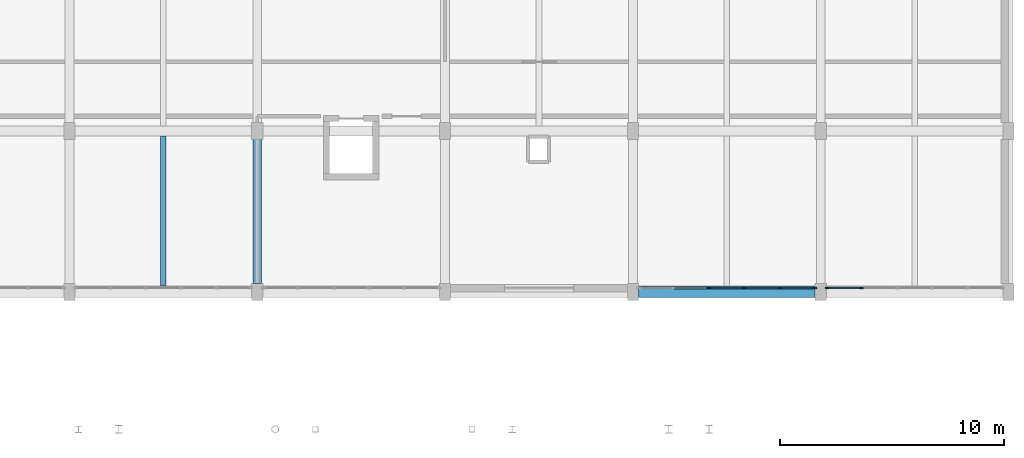
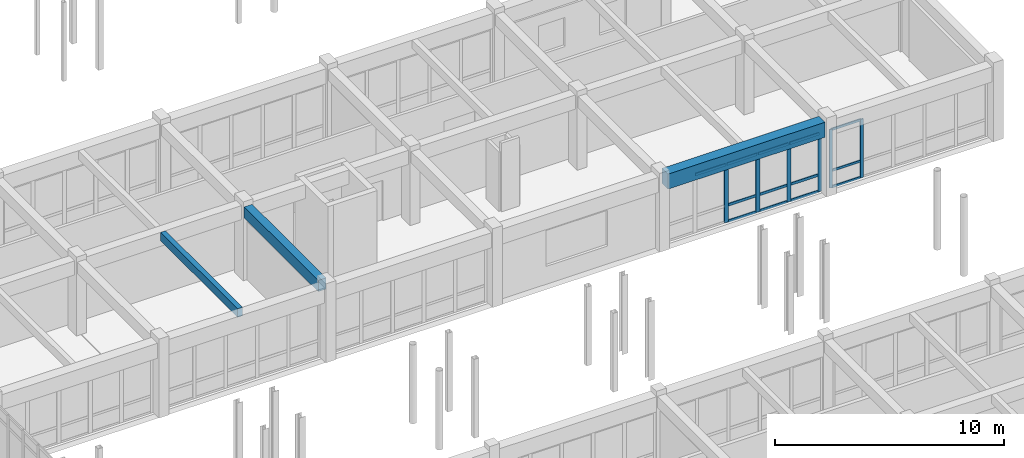
# One storey, part 71 of 147: 19 members, 3 beams, 2 elements without a shape of their own.
"""IFC4 building model written with IfcOpenShell, lengths in metres."""

from ifc_helpers import new_model, si_unit, direction, frame, origin, origin_2d, place, context, subcontext, project, spatial, rectangle, extrude, material, material_profile, profile_set, type_object, element, aggregate, save


model = new_model("IFC4")

# Units and contexts
model_context = context("Model", 3, precision=1e-05, world=origin(), true_north=direction((0.0, 1.0)))
body_context = subcontext(model_context, "Body", "Model", "MODEL_VIEW")
ifc_project = project(units=[si_unit("LENGTHUNIT", "METRE"), si_unit("AREAUNIT", "SQUARE_METRE"), si_unit("VOLUMEUNIT", "CUBIC_METRE"), si_unit("PLANEANGLEUNIT", "RADIAN"), si_unit("MASSUNIT", "GRAM", prefix="KILO")], contexts=[model_context])

# Site, building, storey
site_placement = place(None, origin())
site = spatial("IfcSite", under=ifc_project, at=site_placement, CompositionType="ELEMENT")
building_placement = place(site_placement, origin())
building = spatial("IfcBuilding", under=site, at=building_placement, Name="Malvenik Polytechnic", CompositionType="ELEMENT")
storey_placement = place(building_placement, frame((0.0, 0.0, 5.10009765625)))
storey = spatial("IfcBuildingStorey", under=building, at=storey_placement, Name="L01", CompositionType="ELEMENT", Elevation=5.10009765625)

# Curtain wall, members
ifc_material_1 = material(Name="Anodised aluminium 6060-T6", Category="aluminium")
curtain_wall_type = type_object("IfcCurtainWallType", Name="ARC-CW-CW-02", PredefinedType="NOTDEFINED", material=ifc_material_1)
curtain_wall_1_placement = place(storey_placement, origin())
curtain_wall_1 = element("IfcCurtainWall", 1, at=curtain_wall_1_placement, inside=storey, type_object=curtain_wall_type, Name="Unitised Curtain Wall CW-02 L01 #77", PredefinedType="NOTDEFINED")
ifc_material_2 = material(Name="Anodised aluminium", Category="aluminium")
ifc_material_profile_1 = material_profile(ifc_material_2, rectangle(XDim=0.06005859375, YDim=0.159912109375, at=origin_2d()), Name="ALU MULLION 60x160")
ifc_profile_set_1 = profile_set([ifc_material_profile_1], Name="Anodised aluminium")
member_type_1 = type_object("IfcMemberType", Name="ARC-CWM-160", PredefinedType="MULLION", material=ifc_profile_set_1)
member_1_placement = place(storey_placement, frame((127.828857421875, 79.3701171875, 0.0), z_axis=(0.0, 0.0, 1.0), x_axis=(0.0, -1.0, 0.0)))
member_1 = element("IfcMember", 2, at=member_1_placement, type_object=member_type_1, Name="CW-02 mullion 5", PredefinedType="MULLION", context=body_context, shape_type="SweptSolid", body=[
    extrude(rectangle(XDim=0.06005859375, YDim=0.159912109375, at=origin_2d()), origin(), (0.0, 0.0, 1.0), 3.10986328125),
])
member_2_placement = place(storey_placement, frame((126.278076171875, 79.3701171875, 0.0), z_axis=(0.0, 0.0, 1.0), x_axis=(0.0, -1.0, 0.0)))
member_2 = element("IfcMember", 3, at=member_2_placement, type_object=member_type_1, Name="CW-02 mullion 6", PredefinedType="MULLION", context=body_context, shape_type="SweptSolid", body=[
    extrude(rectangle(XDim=0.06005859375, YDim=0.159912109375, at=origin_2d()), origin(), (0.0, 0.0, 1.0), 3.10986328125),
])

curtain_wall_2_placement = place(storey_placement, origin())
curtain_wall_2 = element("IfcCurtainWall", 4, at=curtain_wall_2_placement, inside=storey, type_object=curtain_wall_type, Name="Unitised Curtain Wall CW-02 L01 #78", PredefinedType="NOTDEFINED")
ifc_material_profile_2 = material_profile(ifc_material_2, rectangle(XDim=0.06005859375, YDim=0.199951171875, at=origin_2d()), Name="ALU MULLION 60x200")
ifc_profile_set_2 = profile_set([ifc_material_profile_2], Name="Anodised aluminium")
member_type_2 = type_object("IfcMemberType", Name="ARC-CWM-200", PredefinedType="MULLION", material=ifc_profile_set_2)
member_3_placement = place(storey_placement, frame((125.721923828125, 79.3701171875, 0.0), z_axis=(0.0, 0.0, 1.0), x_axis=(0.0, -1.0, 0.0)))
member_3 = element("IfcMember", 5, at=member_3_placement, type_object=member_type_2, Name="CW-02 mullion 1", PredefinedType="MULLION", context=body_context, shape_type="SweptSolid", body=[
    extrude(rectangle(XDim=0.06005859375, YDim=0.199951171875, at=origin_2d()), origin(), (0.0, 0.0, 1.0), 3.10986328125),
])
member_4_placement = place(storey_placement, frame((124.171142578125, 79.3701171875, 0.0), z_axis=(0.0, 0.0, 1.0), x_axis=(0.0, -1.0, 0.0)))
member_4 = element("IfcMember", 6, at=member_4_placement, type_object=member_type_2, Name="CW-02 mullion 2", PredefinedType="MULLION", context=body_context, shape_type="SweptSolid", body=[
    extrude(rectangle(XDim=0.06005859375, YDim=0.199951171875, at=origin_2d()), origin(), (0.0, 0.0, 1.0), 3.10986328125),
])
member_5_placement = place(storey_placement, frame((122.59033203125, 79.3701171875, 0.0), z_axis=(0.0, 0.0, 1.0), x_axis=(0.0, -1.0, 0.0)))
member_5 = element("IfcMember", 7, at=member_5_placement, type_object=member_type_2, Name="CW-02 mullion 3", PredefinedType="MULLION", context=body_context, shape_type="SweptSolid", body=[
    extrude(rectangle(XDim=0.06005859375, YDim=0.199951171875, at=origin_2d()), origin(), (0.0, 0.0, 1.0), 3.10986328125),
])
member_6_placement = place(storey_placement, frame((121.009521484375, 79.3701171875, 0.0), z_axis=(0.0, 0.0, 1.0), x_axis=(0.0, -1.0, 0.0)))
member_6 = element("IfcMember", 8, at=member_6_placement, type_object=member_type_2, Name="CW-02 mullion 4", PredefinedType="MULLION", context=body_context, shape_type="SweptSolid", body=[
    extrude(rectangle(XDim=0.06005859375, YDim=0.199951171875, at=origin_2d()), origin(), (0.0, 0.0, 1.0), 3.10986328125),
])

# Member
ifc_material_profile_3 = material_profile(ifc_material_2, rectangle(XDim=0.06005859375, YDim=0.1201171875, at=origin_2d()), Name="ALU TRANSOM 60x120")
ifc_profile_set_3 = profile_set([ifc_material_profile_3], Name="Anodised aluminium")
member_type_3 = type_object("IfcMemberType", Name="ARC-CWT-120", PredefinedType="USERDEFINED", material=ifc_profile_set_3)
member_7_placement = place(storey_placement, frame((127.798828125, 79.3701171875, 0.02978515625), z_axis=(-1.0, 0.0, 0.0), x_axis=(0.0, -1.0, 0.0)))
member_7 = element("IfcMember", 9, at=member_7_placement, type_object=member_type_3, Name="CW-02 transom 5.1", ObjectType="TRANSOM", PredefinedType="USERDEFINED", context=body_context, shape_type="SweptSolid", body=[
    extrude(rectangle(XDim=0.06005859375, YDim=0.1201171875, at=origin_2d()), origin(), (0.0, 0.0, 1.0), 1.49072265625),
])

member_8_placement = place(storey_placement, frame((127.798828125, 79.3701171875, 0.89990234375), z_axis=(-1.0, 0.0, 0.0), x_axis=(0.0, -1.0, 0.0)))
member_8 = element("IfcMember", 10, at=member_8_placement, type_object=member_type_3, Name="CW-02 transom 5.2", ObjectType="TRANSOM", PredefinedType="USERDEFINED", context=body_context, shape_type="SweptSolid", body=[
    extrude(rectangle(XDim=0.06005859375, YDim=0.1201171875, at=origin_2d()), origin(), (0.0, 0.0, 1.0), 1.49072265625),
])

member_9_placement = place(storey_placement, frame((127.798828125, 79.3701171875, 3.079833984375), z_axis=(-1.0, 0.0, 0.0), x_axis=(0.0, -1.0, 0.0)))
member_9 = element("IfcMember", 11, at=member_9_placement, type_object=member_type_3, Name="CW-02 transom 5.3", ObjectType="TRANSOM", PredefinedType="USERDEFINED", context=body_context, shape_type="SweptSolid", body=[
    extrude(rectangle(XDim=0.06005859375, YDim=0.1201171875, at=origin_2d()), origin(), (0.0, 0.0, 1.0), 1.49072265625),
])

aggregate(curtain_wall_1, [member_1, member_2, member_7, member_8, member_9])

ifc_material_profile_4 = material_profile(ifc_material_2, rectangle(XDim=0.06005859375, YDim=0.139892578125, at=origin_2d()), Name="ALU TRANSOM 60x140")
ifc_profile_set_4 = profile_set([ifc_material_profile_4], Name="Anodised aluminium")
member_type_4 = type_object("IfcMemberType", Name="ARC-CWT-140", PredefinedType="USERDEFINED", material=ifc_profile_set_4)
member_10_placement = place(storey_placement, frame((125.69189453125, 79.3701171875, 0.02978515625), z_axis=(-1.0, 0.0, 0.0), x_axis=(0.0, -1.0, 0.0)))
member_10 = element("IfcMember", 12, at=member_10_placement, type_object=member_type_4, Name="CW-02 transom 1.1", ObjectType="TRANSOM", PredefinedType="USERDEFINED", context=body_context, shape_type="SweptSolid", body=[
    extrude(rectangle(XDim=0.06005859375, YDim=0.139892578125, at=origin_2d()), origin(), (0.0, 0.0, 1.0), 1.49072265625),
])

member_11_placement = place(storey_placement, frame((125.69189453125, 79.3701171875, 0.89990234375), z_axis=(-1.0, 0.0, 0.0), x_axis=(0.0, -1.0, 0.0)))
member_11 = element("IfcMember", 13, at=member_11_placement, type_object=member_type_4, Name="CW-02 transom 1.2", ObjectType="TRANSOM", PredefinedType="USERDEFINED", context=body_context, shape_type="SweptSolid", body=[
    extrude(rectangle(XDim=0.06005859375, YDim=0.139892578125, at=origin_2d()), origin(), (0.0, 0.0, 1.0), 1.49072265625),
])

member_12_placement = place(storey_placement, frame((125.69189453125, 79.3701171875, 3.079833984375), z_axis=(-1.0, 0.0, 0.0), x_axis=(0.0, -1.0, 0.0)))
member_12 = element("IfcMember", 14, at=member_12_placement, type_object=member_type_4, Name="CW-02 transom 1.3", ObjectType="TRANSOM", PredefinedType="USERDEFINED", context=body_context, shape_type="SweptSolid", body=[
    extrude(rectangle(XDim=0.06005859375, YDim=0.139892578125, at=origin_2d()), origin(), (0.0, 0.0, 1.0), 1.49072265625),
])

member_13_placement = place(storey_placement, frame((124.14111328125, 79.3701171875, 0.02978515625), z_axis=(-1.0, 0.0, 0.0), x_axis=(0.0, -1.0, 0.0)))
member_13 = element("IfcMember", 15, at=member_13_placement, type_object=member_type_4, Name="CW-02 transom 2.1", ObjectType="TRANSOM", PredefinedType="USERDEFINED", context=body_context, shape_type="SweptSolid", body=[
    extrude(rectangle(XDim=0.06005859375, YDim=0.139892578125, at=origin_2d()), origin(), (0.0, 0.0, 1.0), 1.520751953125),
])

member_14_placement = place(storey_placement, frame((124.14111328125, 79.3701171875, 0.89990234375), z_axis=(-1.0, 0.0, 0.0), x_axis=(0.0, -1.0, 0.0)))
member_14 = element("IfcMember", 16, at=member_14_placement, type_object=member_type_4, Name="CW-02 transom 2.2", ObjectType="TRANSOM", PredefinedType="USERDEFINED", context=body_context, shape_type="SweptSolid", body=[
    extrude(rectangle(XDim=0.06005859375, YDim=0.139892578125, at=origin_2d()), origin(), (0.0, 0.0, 1.0), 1.520751953125),
])

member_15_placement = place(storey_placement, frame((124.14111328125, 79.3701171875, 3.079833984375), z_axis=(-1.0, 0.0, 0.0), x_axis=(0.0, -1.0, 0.0)))
member_15 = element("IfcMember", 17, at=member_15_placement, type_object=member_type_4, Name="CW-02 transom 2.3", ObjectType="TRANSOM", PredefinedType="USERDEFINED", context=body_context, shape_type="SweptSolid", body=[
    extrude(rectangle(XDim=0.06005859375, YDim=0.139892578125, at=origin_2d()), origin(), (0.0, 0.0, 1.0), 1.520751953125),
])

member_16_placement = place(storey_placement, frame((122.560302734375, 79.3701171875, 0.02978515625), z_axis=(-1.0, 0.0, 0.0), x_axis=(0.0, -1.0, 0.0)))
member_16 = element("IfcMember", 18, at=member_16_placement, type_object=member_type_4, Name="CW-02 transom 3.1", ObjectType="TRANSOM", PredefinedType="USERDEFINED", context=body_context, shape_type="SweptSolid", body=[
    extrude(rectangle(XDim=0.06005859375, YDim=0.139892578125, at=origin_2d()), origin(), (0.0, 0.0, 1.0), 1.520751953125),
])

member_17_placement = place(storey_placement, frame((122.560302734375, 79.3701171875, 0.89990234375), z_axis=(-1.0, 0.0, 0.0), x_axis=(0.0, -1.0, 0.0)))
member_17 = element("IfcMember", 19, at=member_17_placement, type_object=member_type_4, Name="CW-02 transom 3.2", ObjectType="TRANSOM", PredefinedType="USERDEFINED", context=body_context, shape_type="SweptSolid", body=[
    extrude(rectangle(XDim=0.06005859375, YDim=0.139892578125, at=origin_2d()), origin(), (0.0, 0.0, 1.0), 1.520751953125),
])

member_18_placement = place(storey_placement, frame((122.560302734375, 79.3701171875, 3.079833984375), z_axis=(-1.0, 0.0, 0.0), x_axis=(0.0, -1.0, 0.0)))
member_18 = element("IfcMember", 20, at=member_18_placement, type_object=member_type_4, Name="CW-02 transom 3.3", ObjectType="TRANSOM", PredefinedType="USERDEFINED", context=body_context, shape_type="SweptSolid", body=[
    extrude(rectangle(XDim=0.06005859375, YDim=0.139892578125, at=origin_2d()), origin(), (0.0, 0.0, 1.0), 1.520751953125),
])

member_19_placement = place(storey_placement, frame((120.9794921875, 79.3701171875, 3.079833984375), z_axis=(-1.0, 0.0, 0.0), x_axis=(0.0, -1.0, 0.0)))
member_19 = element("IfcMember", 21, at=member_19_placement, type_object=member_type_4, Name="CW-02 transom 4.3", ObjectType="TRANSOM", PredefinedType="USERDEFINED", context=body_context, shape_type="SweptSolid", body=[
    extrude(rectangle(XDim=0.06005859375, YDim=0.139892578125, at=origin_2d()), origin(), (0.0, 0.0, 1.0), 1.520751953125),
])

aggregate(curtain_wall_2, [member_3, member_4, member_5, member_6, member_10, member_11, member_12, member_13, member_14, member_15, member_16, member_17, member_18, member_19])

# Beams
ifc_material_3 = material(Name="Concrete C35/45", Category="concrete")
ifc_material_profile_5 = material_profile(ifc_material_3, rectangle(XDim=0.39990234375, YDim=0.60009765625, at=origin_2d()), Name="RC BM 400x600")
ifc_profile_set_5 = profile_set([ifc_material_profile_5], Name="Concrete C35/45")
beam_type_1 = type_object("IfcBeamType", Name="STR-BM-B-06", PredefinedType="BEAM", material=ifc_profile_set_5)
beam_1_placement = place(storey_placement, frame((100.800048828125, 79.572998046875, 3.619873046875), z_axis=(0.0, 1.0, 0.0), x_axis=(-1.0, 0.0, 0.0)))
element("IfcBeam", 22, at=beam_1_placement, inside=storey, type_object=beam_type_1, Name="Transverse Beam B-06 L01 #1209", PredefinedType="BEAM", context=body_context, shape_type="SweptSolid", body=[
    extrude(rectangle(XDim=0.39990234375, YDim=0.60009765625, at=origin_2d()), origin(), (0.0, 0.0, 1.0), 6.4541015625),
])
ifc_material_4 = material(Name="Concrete C30/37", Category="concrete")
ifc_material_profile_6 = material_profile(ifc_material_4, rectangle(XDim=0.25, YDim=0.449951171875, at=origin_2d()), Name="RC JST 250x450")
ifc_profile_set_6 = profile_set([ifc_material_profile_6], Name="Concrete C30/37")
beam_type_2 = type_object("IfcBeamType", Name="STR-BM-J-02", PredefinedType="JOIST", material=ifc_profile_set_6)
beam_2_placement = place(storey_placement, frame((96.60009765625, 79.4580078125, 3.69482421875), z_axis=(0.0, 1.0, 0.0), x_axis=(-1.0, 0.0, 0.0)))
element("IfcBeam", 23, at=beam_2_placement, inside=storey, type_object=beam_type_2, Name="Secondary Rib Joist J-02 L01 #1304", PredefinedType="JOIST", context=body_context, shape_type="SweptSolid", body=[
    extrude(rectangle(XDim=0.25, YDim=0.449951171875, at=origin_2d()), origin(), (0.0, 0.0, 1.0), 6.718994140625),
])
ifc_material_5 = material(Name="Precast concrete C40/50", Category="concrete")
ifc_material_profile_7 = material_profile(ifc_material_5, rectangle(XDim=0.52001953125, YDim=0.800048828125, at=origin_2d()), Name="PC SPN 520x800")
ifc_profile_set_7 = profile_set([ifc_material_profile_7], Name="Precast concrete C40/50")
beam_type_3 = type_object("IfcBeamType", Name="STR-BM-SP-01", PredefinedType="SPANDREL", material=ifc_profile_set_7)
beam_3_placement = place(storey_placement, frame((117.847900390625, 79.199951171875, 3.52001953125), z_axis=(1.0, 0.0, 0.0), x_axis=(0.0, 1.0, 0.0)))
element("IfcBeam", 24, at=beam_3_placement, inside=storey, type_object=beam_type_3, Name="Primary Beam SP-01 L01 #1055", PredefinedType="SPANDREL", context=body_context, shape_type="SweptSolid", body=[
    extrude(rectangle(XDim=0.52001953125, YDim=0.800048828125, at=origin_2d()), origin(), (0.0, 0.0, 1.0), 7.904052734375),
])

save(model, "model.ifc")
